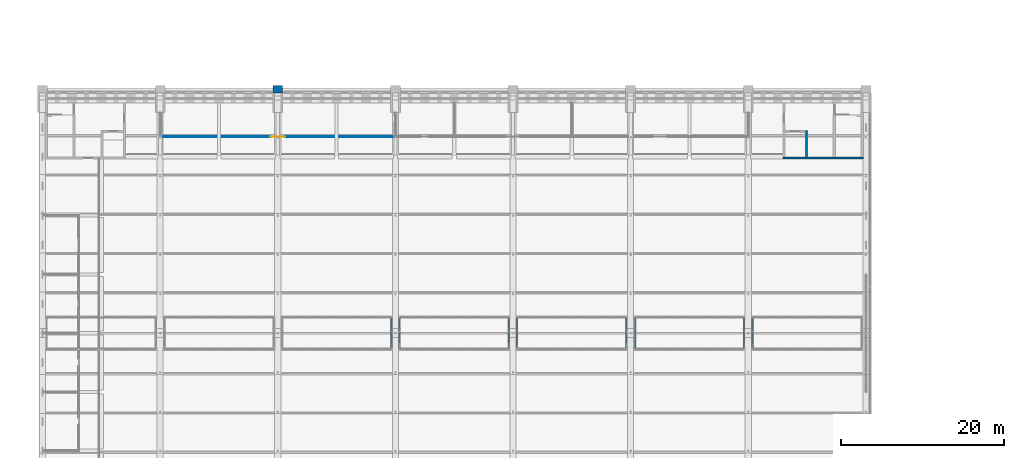
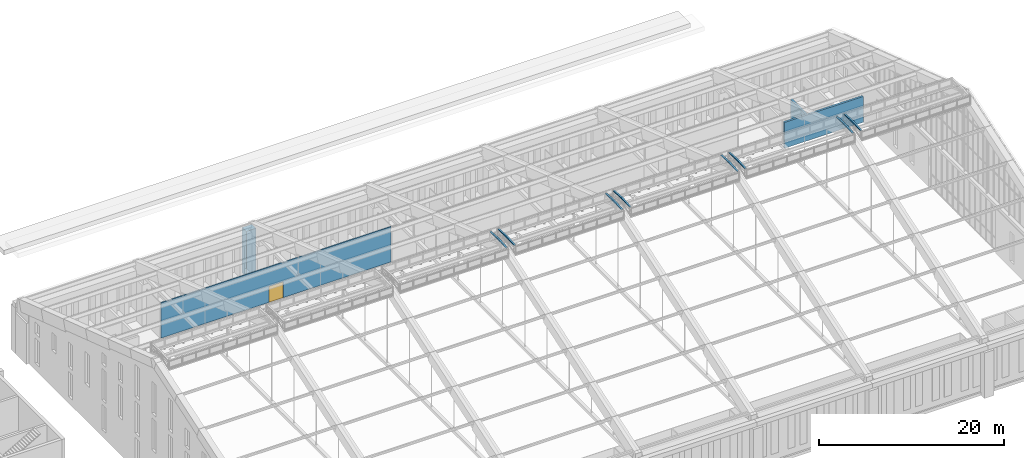
# One storey, part 132 of 149: 12 walls, 1 door, 1 opening, 8 elements without a shape of their own.
"""IFC4 building model written with IfcOpenShell, lengths in metres."""

from ifc_helpers import new_model, si_unit, direction, frame, frame_2d, origin, place, context, subcontext, project, spatial, polyline, rectangle, outline, extrude, material, layer, layer_set, type_object, element, fill, aggregate, save


model = new_model("IFC4")

# Units and contexts
model_context = context("Model", 3, precision=1e-05, world=origin(), true_north=direction((0.0, 1.0)))
body_context = subcontext(model_context, "Body", "Model", "MODEL_VIEW")
ifc_project = project(units=[si_unit("LENGTHUNIT", "METRE"), si_unit("AREAUNIT", "SQUARE_METRE"), si_unit("VOLUMEUNIT", "CUBIC_METRE"), si_unit("PLANEANGLEUNIT", "RADIAN"), si_unit("MASSUNIT", "GRAM", prefix="KILO")], contexts=[model_context])

# Site, building, storey
site_placement = place(None, origin())
site = spatial("IfcSite", under=ifc_project, at=site_placement, CompositionType="ELEMENT")
building_placement = place(site_placement, origin())
building = spatial("IfcBuilding", under=site, at=building_placement, Name="Alderwick Market Hall", CompositionType="ELEMENT")
storey_placement = place(building_placement, frame((0.0, 0.0, 9.60009765625)))
storey = spatial("IfcBuildingStorey", under=building, at=storey_placement, Name="L01", CompositionType="ELEMENT", Elevation=9.60009765625)

# Walls
ifc_material_1 = material(Name="Face brick masonry, ASTM C216 grade SW (f'm 17 MPa)", Category="masonry")
ifc_layer_1 = layer(ifc_material_1, 0.89990234375)
ifc_layer_set_1 = layer_set([ifc_layer_1], Name="Face brick masonry, ASTM C216 grade SW (f'm 17 MPa)")
wall_type_1 = type_object("IfcWallType", Name="H Buttress pier 900", PredefinedType="SOLIDWALL", material=ifc_layer_set_1)
wall_1_placement = place(storey_placement, frame((78.60009765625, 109.050048828125, 0.0), z_axis=(0.0, 0.0, 1.0), x_axis=(1.0, 0.0, 0.0)))
element("IfcWall", 1, at=wall_1_placement, inside=storey, type_object=wall_type_1, Name="Buttress pier N3", PredefinedType="SOLIDWALL", context=body_context, shape_type="SweptSolid", body=[
    extrude(rectangle(XDim=1.199951171875, YDim=0.89990234375, at=frame_2d((0.60009765625, 0.0))), origin(), (0.0, 0.0, 1.0), 6.0),
])
ifc_material_2 = material(Name="Concrete 5000 psi (f'c 35 MPa)", Category="concrete")
ifc_layer_2 = layer(ifc_material_2, 0.25)
ifc_layer_set_2 = layer_set([ifc_layer_2], Name="Concrete 5000 psi (f'c 35 MPa)")
wall_type_2 = type_object("IfcWallType", Name="H Core wall 250", PredefinedType="SOLIDWALL", material=ifc_layer_set_2)
wall_2_placement = place(storey_placement, frame((141.050048828125, 100.635009765625, 0.0), z_axis=(0.0, 0.0, 1.0), x_axis=(1.0, 0.0, 0.0)))
element("IfcWall", 2, at=wall_2_placement, inside=storey, type_object=wall_type_2, Name="Core wall H-NE", PredefinedType="SOLIDWALL", context=body_context, shape_type="SweptSolid", body=[
    extrude(rectangle(XDim=9.849853515625, YDim=0.25, at=frame_2d((4.9248046875, 0.0))), origin(), (0.0, 0.0, 1.0), 3.39990234375),
])
wall_3_placement = place(storey_placement, frame((143.925048828125, 100.760009765625, 0.0), z_axis=(0.0, 0.0, 1.0), x_axis=(0.0, 1.0, 0.0)))
element("IfcWall", 3, at=wall_3_placement, inside=storey, type_object=wall_type_2, Name="Core wall H-NE", PredefinedType="SOLIDWALL", context=body_context, shape_type="SweptSolid", body=[
    extrude(rectangle(XDim=3.25, YDim=0.25, at=frame_2d((1.625, 0.0))), origin(), (0.0, 0.0, 1.0), 3.39990234375),
])

# Wall, opening, door
ifc_material_3 = material(Name="Gypsum board partition")
ifc_layer_3 = layer(ifc_material_3, 0.10009765625)
ifc_layer_set_3 = layer_set([ifc_layer_3], Name="Gypsum board partition")
wall_type_3 = type_object("IfcWallType", Name="H Partition 100", PredefinedType="PARTITIONING", material=ifc_layer_set_3)
wall_4_placement = place(storey_placement, frame((64.85009765625, 103.25, 0.0), z_axis=(0.0, 0.0, 1.0), x_axis=(1.0, 0.0, 0.0)))
wall_4 = element("IfcWall", 4, at=wall_4_placement, inside=storey, type_object=wall_type_3, Name="Partition", PredefinedType="PARTITIONING", context=body_context, shape_type="SweptSolid", body=[
    extrude(rectangle(XDim=28.699951171875, YDim=0.10009765625, at=frame_2d((14.35009765625, 0.0))), origin(), (0.0, 0.0, 1.0), 4.699951171875),
])
opening_placement = place(wall_4_placement, frame((13.449951171875, 0.0, 0.0)))
opening = element("IfcOpeningElement", 5, at=opening_placement, cuts=wall_4, Name="Opening H-D089", PredefinedType="OPENING", context=body_context, shape_type="SweptSolid", body=[
    extrude(rectangle(XDim=1.800048828125, YDim=2.10009765625, at=frame_2d((0.89990234375, 1.050048828125))), frame((0.0, 0.06005859375, 0.0), z_axis=(0.0, -1.0, 0.0), x_axis=(1.0, 0.0, 0.0)), (0.0, 0.0, 1.0), 0.1201171875),
])
ifc_material_4 = material(Name="Timber and glass", Category="wood")
door_type = type_object("IfcDoorType", Name="H Double door 1800x2100", OperationType="DOUBLE_DOOR_SINGLE_SWING", PredefinedType="DOOR", material=ifc_material_4)
door_placement = place(opening_placement, origin())
door = element("IfcDoor", 6, at=door_placement, inside=storey, type_object=door_type, Name="Door H-D089", OperationType="DOUBLE_DOOR_SINGLE_SWING", OverallHeight=2.10009765625, OverallWidth=1.800048828125, PredefinedType="DOOR", context=body_context, shape_type="SweptSolid", body=[
    extrude(rectangle(XDim=1.800048828125, YDim=2.10009765625, at=frame_2d((0.89990234375, 1.050048828125))), frame((0.0, 0.02490234375, 0.0), z_axis=(0.0, -1.0, 0.0), x_axis=(1.0, 0.0, 0.0)), (0.0, 0.0, 1.0), 0.050048828125),
])
fill(opening, door)

# Curtain wall, wall
ifc_material_5 = material(Name="Aluminium", Category="aluminium")
curtain_wall_type = type_object("IfcCurtainWallType", Name="R Curtain Wall Frame", PredefinedType="NOTDEFINED", material=ifc_material_5)
curtain_wall_1_placement = place(storey_placement, origin())
curtain_wall_1 = element("IfcCurtainWall", 7, at=curtain_wall_1_placement, inside=storey, type_object=curtain_wall_type, Name="Curtain wall LCW E3", PredefinedType="NOTDEFINED")
ifc_layer_4 = layer(ifc_material_5, 0.199951171875)
ifc_layer_set_4 = layer_set([ifc_layer_4], Name="Aluminium")
wall_type_4 = type_object("IfcWallType", Name="R Lantern Gable Infill 200", PredefinedType="SOLIDWALL", material=ifc_layer_set_4)
wall_5_placement = place(storey_placement, frame((93.10009765625, 77.39990234375, 17.639892578125), z_axis=(0.0, 0.0, 1.0), x_axis=(0.0, 1.0, 0.0)))
wall_5 = element("IfcWall", 8, at=wall_5_placement, type_object=wall_type_4, Name="Lantern gable infill E3", PredefinedType="SOLIDWALL", context=body_context, shape_type="SweptSolid", body=[
    extrude(outline(polyline([(0.0, 0.0), (3.60009765625, 0.0), (3.60009765625, 0.06005859375), (1.800048828125, 0.197998046875), (0.0, 0.06005859375), (0.0, 0.0)])), frame((0.0, 0.10009765625, 0.0), z_axis=(0.0, -1.0, 0.0), x_axis=(1.0, 0.0, 0.0)), (0.0, 0.0, 1.0), 0.199951171875),
])
aggregate(curtain_wall_1, [wall_5])

curtain_wall_2_placement = place(storey_placement, origin())
curtain_wall_2 = element("IfcCurtainWall", 9, at=curtain_wall_2_placement, inside=storey, type_object=curtain_wall_type, Name="Curtain wall LCW W4", PredefinedType="NOTDEFINED")
wall_6_placement = place(storey_placement, frame((94.10009765625, 77.39990234375, 17.639892578125), z_axis=(0.0, 0.0, 1.0), x_axis=(0.0, 1.0, 0.0)))
wall_6 = element("IfcWall", 10, at=wall_6_placement, type_object=wall_type_4, Name="Lantern gable infill W4", PredefinedType="SOLIDWALL", context=body_context, shape_type="SweptSolid", body=[
    extrude(outline(polyline([(0.0, 0.0), (3.60009765625, 0.0), (3.60009765625, 0.06005859375), (1.800048828125, 0.197998046875), (0.0, 0.06005859375), (0.0, 0.0)])), frame((0.0, 0.10009765625, 0.0), z_axis=(0.0, -1.0, 0.0), x_axis=(1.0, 0.0, 0.0)), (0.0, 0.0, 1.0), 0.199951171875),
])
aggregate(curtain_wall_2, [wall_6])

curtain_wall_3_placement = place(storey_placement, origin())
curtain_wall_3 = element("IfcCurtainWall", 11, at=curtain_wall_3_placement, inside=storey, type_object=curtain_wall_type, Name="Curtain wall LCW E4", PredefinedType="NOTDEFINED")
wall_7_placement = place(storey_placement, frame((107.5, 77.39990234375, 17.639892578125), z_axis=(0.0, 0.0, 1.0), x_axis=(0.0, 1.0, 0.0)))
wall_7 = element("IfcWall", 12, at=wall_7_placement, type_object=wall_type_4, Name="Lantern gable infill E4", PredefinedType="SOLIDWALL", context=body_context, shape_type="SweptSolid", body=[
    extrude(outline(polyline([(0.0, 0.0), (3.60009765625, 0.0), (3.60009765625, 0.06005859375), (1.800048828125, 0.197998046875), (0.0, 0.06005859375), (0.0, 0.0)])), frame((0.0, 0.10009765625, 0.0), z_axis=(0.0, -1.0, 0.0), x_axis=(1.0, 0.0, 0.0)), (0.0, 0.0, 1.0), 0.199951171875),
])
aggregate(curtain_wall_3, [wall_7])

curtain_wall_4_placement = place(storey_placement, origin())
curtain_wall_4 = element("IfcCurtainWall", 13, at=curtain_wall_4_placement, inside=storey, type_object=curtain_wall_type, Name="Curtain wall LCW W5", PredefinedType="NOTDEFINED")
wall_8_placement = place(storey_placement, frame((108.5, 77.39990234375, 17.639892578125), z_axis=(0.0, 0.0, 1.0), x_axis=(0.0, 1.0, 0.0)))
wall_8 = element("IfcWall", 14, at=wall_8_placement, type_object=wall_type_4, Name="Lantern gable infill W5", PredefinedType="SOLIDWALL", context=body_context, shape_type="SweptSolid", body=[
    extrude(outline(polyline([(0.0, 0.0), (3.60009765625, 0.0), (3.60009765625, 0.06005859375), (1.800048828125, 0.197998046875), (0.0, 0.06005859375), (0.0, 0.0)])), frame((0.0, 0.10009765625, 0.0), z_axis=(0.0, -1.0, 0.0), x_axis=(1.0, 0.0, 0.0)), (0.0, 0.0, 1.0), 0.199951171875),
])
aggregate(curtain_wall_4, [wall_8])

curtain_wall_5_placement = place(storey_placement, origin())
curtain_wall_5 = element("IfcCurtainWall", 15, at=curtain_wall_5_placement, inside=storey, type_object=curtain_wall_type, Name="Curtain wall LCW E5", PredefinedType="NOTDEFINED")
wall_9_placement = place(storey_placement, frame((121.89990234375, 77.39990234375, 17.639892578125), z_axis=(0.0, 0.0, 1.0), x_axis=(0.0, 1.0, 0.0)))
wall_9 = element("IfcWall", 16, at=wall_9_placement, type_object=wall_type_4, Name="Lantern gable infill E5", PredefinedType="SOLIDWALL", context=body_context, shape_type="SweptSolid", body=[
    extrude(outline(polyline([(0.0, 0.0), (3.60009765625, 0.0), (3.60009765625, 0.06005859375), (1.800048828125, 0.197998046875), (0.0, 0.06005859375), (0.0, 0.0)])), frame((0.0, 0.10009765625, 0.0), z_axis=(0.0, -1.0, 0.0), x_axis=(1.0, 0.0, 0.0)), (0.0, 0.0, 1.0), 0.199951171875),
])
aggregate(curtain_wall_5, [wall_9])

curtain_wall_6_placement = place(storey_placement, origin())
curtain_wall_6 = element("IfcCurtainWall", 17, at=curtain_wall_6_placement, inside=storey, type_object=curtain_wall_type, Name="Curtain wall LCW W6", PredefinedType="NOTDEFINED")
wall_10_placement = place(storey_placement, frame((122.89990234375, 77.39990234375, 17.639892578125), z_axis=(0.0, 0.0, 1.0), x_axis=(0.0, 1.0, 0.0)))
wall_10 = element("IfcWall", 18, at=wall_10_placement, type_object=wall_type_4, Name="Lantern gable infill W6", PredefinedType="SOLIDWALL", context=body_context, shape_type="SweptSolid", body=[
    extrude(outline(polyline([(0.0, 0.0), (3.60009765625, 0.0), (3.60009765625, 0.06005859375), (1.800048828125, 0.197998046875), (0.0, 0.06005859375), (0.0, 0.0)])), frame((0.0, 0.10009765625, 0.0), z_axis=(0.0, -1.0, 0.0), x_axis=(1.0, 0.0, 0.0)), (0.0, 0.0, 1.0), 0.199951171875),
])
aggregate(curtain_wall_6, [wall_10])

curtain_wall_7_placement = place(storey_placement, origin())
curtain_wall_7 = element("IfcCurtainWall", 19, at=curtain_wall_7_placement, inside=storey, type_object=curtain_wall_type, Name="Curtain wall LCW E6", PredefinedType="NOTDEFINED")
wall_11_placement = place(storey_placement, frame((136.300048828125, 77.39990234375, 17.639892578125), z_axis=(0.0, 0.0, 1.0), x_axis=(0.0, 1.0, 0.0)))
wall_11 = element("IfcWall", 20, at=wall_11_placement, type_object=wall_type_4, Name="Lantern gable infill E6", PredefinedType="SOLIDWALL", context=body_context, shape_type="SweptSolid", body=[
    extrude(outline(polyline([(0.0, 0.0), (3.60009765625, 0.0), (3.60009765625, 0.06005859375), (1.800048828125, 0.197998046875), (0.0, 0.06005859375), (0.0, 0.0)])), frame((0.0, 0.10009765625, 0.0), z_axis=(0.0, -1.0, 0.0), x_axis=(1.0, 0.0, 0.0)), (0.0, 0.0, 1.0), 0.199951171875),
])
aggregate(curtain_wall_7, [wall_11])

curtain_wall_8_placement = place(storey_placement, origin())
curtain_wall_8 = element("IfcCurtainWall", 21, at=curtain_wall_8_placement, inside=storey, type_object=curtain_wall_type, Name="Curtain wall LCW W7", PredefinedType="NOTDEFINED")
wall_12_placement = place(storey_placement, frame((137.300048828125, 77.39990234375, 17.639892578125), z_axis=(0.0, 0.0, 1.0), x_axis=(0.0, 1.0, 0.0)))
wall_12 = element("IfcWall", 22, at=wall_12_placement, type_object=wall_type_4, Name="Lantern gable infill W7", PredefinedType="SOLIDWALL", context=body_context, shape_type="SweptSolid", body=[
    extrude(outline(polyline([(0.0, 0.0), (3.60009765625, 0.0), (3.60009765625, 0.06005859375), (1.800048828125, 0.197998046875), (0.0, 0.06005859375), (0.0, 0.0)])), frame((0.0, 0.10009765625, 0.0), z_axis=(0.0, -1.0, 0.0), x_axis=(1.0, 0.0, 0.0)), (0.0, 0.0, 1.0), 0.199951171875),
])
aggregate(curtain_wall_8, [wall_12])

save(model, "model.ifc")
